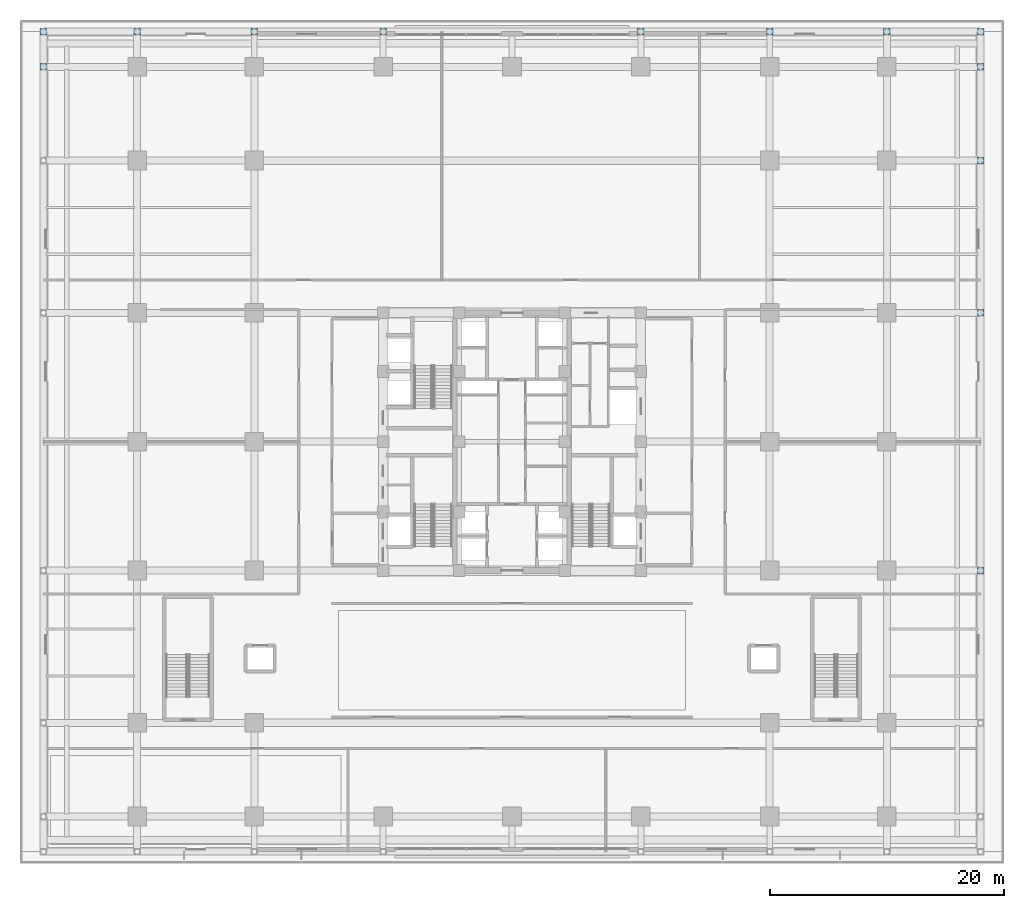
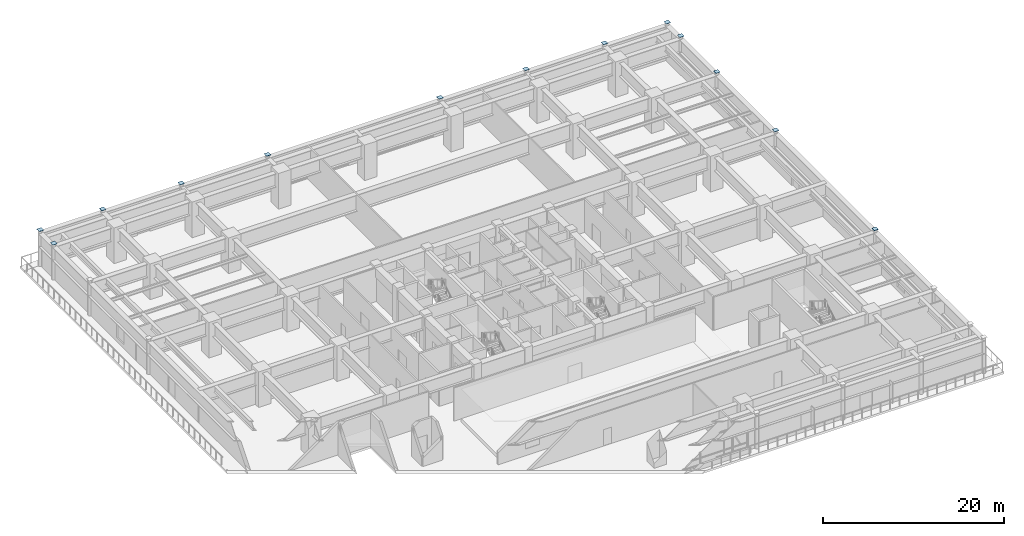
# One storey, part 24 of 38: 13 plates.
"""IFC4 building model written with IfcOpenShell, lengths in metres."""

from ifc_helpers import new_model, si_unit, direction, frame, origin, origin_2d, place, context, subcontext, project, spatial, rectangle, extrude, source, transform, mapped, material, layer, layer_set, type_object, element, save


model = new_model("IFC4")

# Units and contexts
model_context = context("Model", 3, precision=1e-05, world=origin(), true_north=direction((0.0, 1.0)))
body_context = subcontext(model_context, "Body", "Model", "MODEL_VIEW")
ifc_project = project(units=[si_unit("LENGTHUNIT", "METRE"), si_unit("AREAUNIT", "SQUARE_METRE"), si_unit("VOLUMEUNIT", "CUBIC_METRE"), si_unit("PLANEANGLEUNIT", "RADIAN"), si_unit("MASSUNIT", "GRAM", prefix="KILO")], contexts=[model_context])

# Site, building, storey
site_placement = place(None, origin())
site = spatial("IfcSite", under=ifc_project, at=site_placement, CompositionType="ELEMENT")
building_placement = place(site_placement, origin())
building = spatial("IfcBuilding", under=site, at=building_placement, Name="Khorayat Bourse Tower", CompositionType="ELEMENT")
storey_placement = place(building_placement, frame((0.0, 0.0, 17.39990234375)))
storey = spatial("IfcBuildingStorey", under=building, at=storey_placement, Name="L03", CompositionType="ELEMENT", Elevation=17.39990234375)

# Plates
ifc_material = material(Name="Steel EN 10025-2 S355J2", Category="steel")
ifc_layer = layer(ifc_material, 0.02490234375)
ifc_layer_set = layer_set([ifc_layer], Name="Steel EN 10025-2 S355J2")
plate_type = type_object("IfcPlateType", Name="PLT-ENDCAP-25", PredefinedType="SHEET", material=ifc_layer_set)
shared_shape = source(origin(), body_context, "Body", "SweptSolid", [
    extrude(rectangle(XDim=0.56005859375, YDim=0.56005859375, at=origin_2d()), origin(), (0.0, 0.0, 1.0), 0.02490234375),
])
for number, where, z_axis, x_axis, name in (
    (1, (-40.0, 35.0, 4.800048828125), (0.0, 0.0, 1.0), (1.0, 0.0, 0.0), "L03 Column Top Endcap Plate 006"),
    (2, (-32.0, 35.0, 4.800048828125), (0.0, 0.0, 1.0), (1.0, 0.0, 0.0), "L03 Column Top Endcap Plate 015"),
    (3, (-22.0, 35.0, 4.800048828125), (0.0, 0.0, 1.0), (1.0, 0.0, 0.0), "L03 Column Top Endcap Plate 024"),
    (4, (-11.0, 35.0, 4.800048828125), (0.0, 0.0, 1.0), (1.0, 0.0, 0.0), "L03 Column Top Endcap Plate 033"),
    (5, (11.0, 35.0, 4.800048828125), (0.0, 0.0, 1.0), (1.0, 0.0, 0.0), "L03 Column Top Endcap Plate 054"),
    (6, (22.0, 35.0, 4.800048828125), (0.0, 0.0, 1.0), (1.0, 0.0, 0.0), "L03 Column Top Endcap Plate 063"),
    (7, (32.0, 35.0, 4.800048828125), (0.0, 0.0, 1.0), (1.0, 0.0, 0.0), "L03 Column Top Endcap Plate 072"),
    (8, (40.0, -11.0, 4.800048828125), (0.0, 0.0, 1.0), (1.0, 0.0, 0.0), "L03 Column Top Endcap Plate 075"),
    (9, (40.0, 11.0, 4.800048828125), (0.0, 0.0, 1.0), (1.0, 0.0, 0.0), "L03 Column Top Endcap Plate 076"),
    (10, (40.0, 24.0, 4.800048828125), (0.0, 0.0, 1.0), (1.0, 0.0, 0.0), "L03 Column Top Endcap Plate 077"),
    (11, (40.0, 35.0, 4.800048828125), (0.0, 0.0, 1.0), (1.0, 0.0, 0.0), "L03 Column Top Endcap Plate 078"),
    (12, (-40.0, 32.0, 4.800048828125), (0.0, 0.0, 1.0), (1.0, 0.0, 0.0), "L03 Perimeter Step Column Endcap 2"),
    (13, (40.0, 32.0, 4.800048828125), (0.0, 0.0, 1.0), (1.0, 0.0, 0.0), "L03 Perimeter Step Column Endcap 4"),
):
    element("IfcPlate", number, at=place(storey_placement, frame(where, z_axis=z_axis, x_axis=x_axis)), inside=storey, type_object=plate_type, Name=name, PredefinedType="SHEET", context=body_context, shape_type="MappedRepresentation", body=[
        mapped(shared_shape, transform((0.0, 0.0, 0.0), scale=1.0)),
    ])

save(model, "model.ifc")
